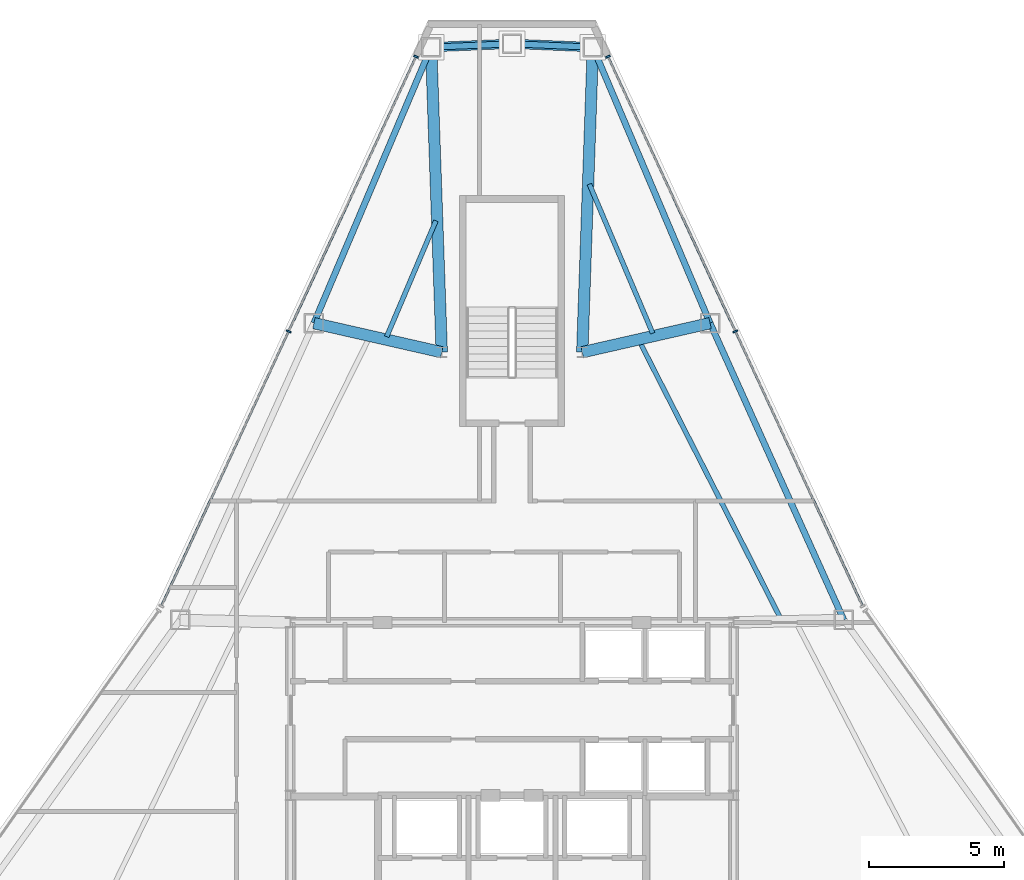
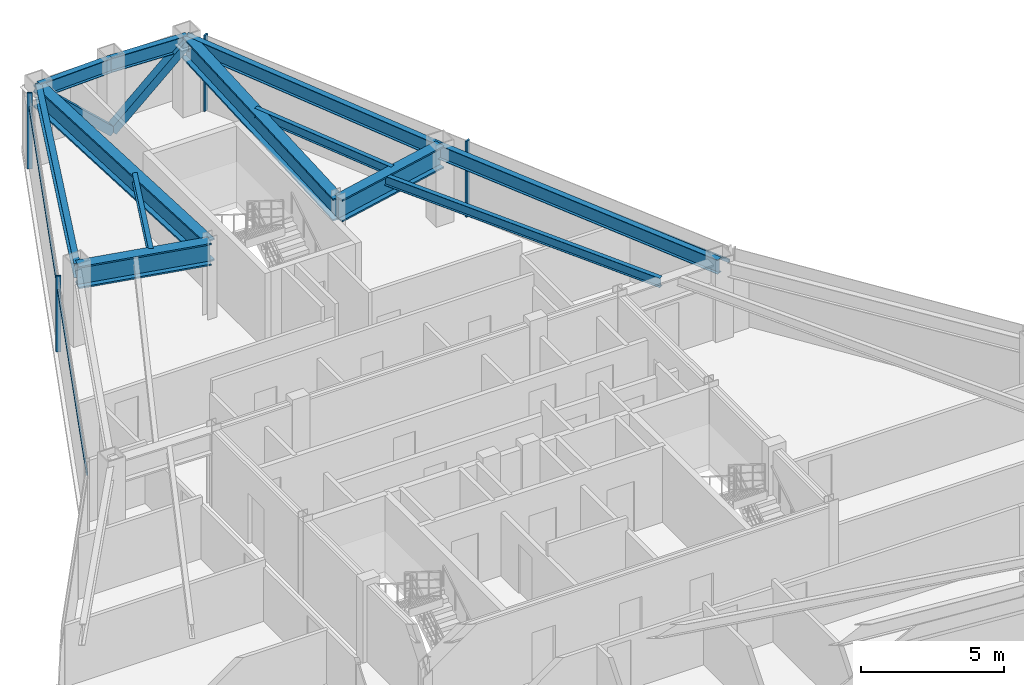
# One storey, part 7 of 12: 12 beams, 8 members, 2 elements without a shape of their own.
"""IFC4 building model written with IfcOpenShell, lengths in metres."""

from ifc_helpers import new_model, si_unit, direction, frame, origin, origin_2d, place, context, subcontext, project, spatial, rectangle, hollow_rectangle, i_section, extrude, source, transform, mapped, material, layer, layer_set, material_profile, profile_set, type_object, type_shapes, element, aggregate, save


model = new_model("IFC4")

# Units and contexts
model_context = context("Model", 3, precision=1e-05, world=origin(), true_north=direction((0.0, 1.0)))
body_context = subcontext(model_context, "Body", "Model", "MODEL_VIEW")
ifc_project = project(units=[si_unit("LENGTHUNIT", "METRE"), si_unit("AREAUNIT", "SQUARE_METRE"), si_unit("VOLUMEUNIT", "CUBIC_METRE"), si_unit("PLANEANGLEUNIT", "RADIAN"), si_unit("MASSUNIT", "GRAM", prefix="KILO")], contexts=[model_context])

# Site, building, storey
site_placement = place(None, origin())
site = spatial("IfcSite", under=ifc_project, at=site_placement, CompositionType="ELEMENT")
building_placement = place(site_placement, origin())
building = spatial("IfcBuilding", under=site, at=building_placement, Name="Varakhsha Concourse Tower", CompositionType="ELEMENT")
storey_placement = place(building_placement, frame((0.0, 0.0, 236.39990234375)))
storey = spatial("IfcBuildingStorey", under=building, at=storey_placement, Name="L67", CompositionType="ELEMENT", Elevation=236.39990234375)

# Beams
ifc_material_1 = material(Name="Structural Steel ASTM A992 Grade 50", Category="steel")
ifc_material_profile_1 = material_profile(ifc_material_1, i_section(OverallWidth=0.177978515625, OverallDepth=0.406982421875, WebThickness=0.008056640625, FlangeThickness=0.012939453125, at=origin_2d()), Name="W16X40")
ifc_profile_set_1 = profile_set([ifc_material_profile_1], Name="Structural Steel ASTM A992 Grade 50")
beam_type_1 = type_object("IfcBeamType", Name="BM-JST-W16X40", PredefinedType="JOIST", material=ifc_profile_set_1)
beam_1_placement = place(storey_placement, frame((37.183837890625, 46.066650390625, 3.046630859375), z_axis=(-0.390890037273, -0.920437384487, 0.0), x_axis=(0.920437384487, -0.390890037273, 0.0)))
element("IfcBeam", 1, at=beam_1_placement, inside=storey, type_object=beam_type_1, Name="BM-TJST-L67-03", PredefinedType="JOIST", context=body_context, shape_type="SweptSolid", body=[
    extrude(i_section(OverallWidth=0.177978515625, OverallDepth=0.406982421875, WebThickness=0.008056640625, FlangeThickness=0.012939453125, at=origin_2d()), origin(), (0.0, 0.0, 1.0), 4.662353515625),
])
beam_2_placement = place(storey_placement, frame((49.9462890625, 31.338134765625, 3.046630859375), z_axis=(-0.45386498126, 0.891070467913, 0.0), x_axis=(-0.891070467913, -0.45386498126, 0.0)))
element("IfcBeam", 2, at=beam_2_placement, inside=storey, type_object=beam_type_1, Name="BM-TJST-L67-17", PredefinedType="JOIST", context=body_context, shape_type="SweptSolid", body=[
    extrude(i_section(OverallWidth=0.177978515625, OverallDepth=0.406982421875, WebThickness=0.008056640625, FlangeThickness=0.012939453125, at=origin_2d()), origin(), (0.0, 0.0, 1.0), 11.4892578125),
])
beam_3_placement = place(storey_placement, frame((45.206298828125, 41.904541015625, 3.046630859375), z_axis=(-0.390893955618, 0.92043572044, 0.0), x_axis=(-0.92043572044, -0.390893955618, 0.0)))
element("IfcBeam", 3, at=beam_3_placement, inside=storey, type_object=beam_type_1, Name="BM-TJST-L67-18", PredefinedType="JOIST", context=body_context, shape_type="SweptSolid", body=[
    extrude(i_section(OverallWidth=0.177978515625, OverallDepth=0.406982421875, WebThickness=0.008056640625, FlangeThickness=0.012939453125, at=origin_2d()), origin(), (0.0, 0.0, 1.0), 5.993896484375),
])
ifc_material_profile_2 = material_profile(ifc_material_1, i_section(OverallWidth=0.423095703125, OverallDepth=0.947998046875, WebThickness=0.0380859375, FlangeThickness=0.06396484375, at=origin_2d()), Name="W36X302")
ifc_profile_set_2 = profile_set([ifc_material_profile_2], Name="Structural Steel ASTM A992 Grade 50")
beam_type_2 = type_object("IfcBeamType", Name="BM-OUTR-W36X302", PredefinedType="USERDEFINED", material=ifc_profile_set_2)
for number, where, z_axis, x_axis, name in (
    (4, (42.60009765625, 41.199951171875, 2.776123046875), (0.03481282417, 0.999393849928, 0.0), (-0.999393849928, 0.03481282417, 0.0), "L67 Radial Floor Girder 01"),
    (5, (37.39990234375, 41.199951171875, 2.776123046875), (-0.03481282417, 0.999393849928, 0.0), (-0.999393849928, -0.03481282417, 0.0), "L67 Radial Floor Girder 03"),
):
    element("IfcBeam", number, at=place(storey_placement, frame(where, z_axis=z_axis, x_axis=x_axis)), inside=storey, type_object=beam_type_2, Name=name, ObjectType="GIRDER", PredefinedType="USERDEFINED", context=body_context, shape_type="SweptSolid", body=[
        extrude(i_section(OverallWidth=0.423095703125, OverallDepth=0.947998046875, WebThickness=0.0380859375, FlangeThickness=0.06396484375, at=origin_2d()), origin(), (0.0, 0.0, 1.0), 11.2978515625),
    ])
for number, where, z_axis, x_axis, name in (
    (6, (37.39990234375, 41.199951171875, 2.776123046875), (-0.975046778501, 0.221999503909, 0.0), (-0.221999503909, -0.975046778501, 0.0), "L67 Radial Floor Girder 04"),
    (7, (42.60009765625, 41.199951171875, 2.776123046875), (0.975046778501, 0.221999503909, 0.0), (-0.221999503909, 0.975046778501, 0.0), "L67 Radial Floor Girder 18"),
):
    element("IfcBeam", number, at=place(storey_placement, frame(where, z_axis=z_axis, x_axis=x_axis)), inside=storey, type_object=beam_type_2, Name=name, ObjectType="GIRDER", PredefinedType="USERDEFINED", context=body_context, shape_type="SweptSolid", body=[
        extrude(i_section(OverallWidth=0.423095703125, OverallDepth=0.947998046875, WebThickness=0.0380859375, FlangeThickness=0.06396484375, at=origin_2d()), origin(), (0.0, 0.0, 1.0), 4.85205078125),
    ])
ifc_material_profile_3 = material_profile(ifc_material_1, i_section(OverallWidth=0.22900390625, OverallDepth=0.612060546875, WebThickness=0.011962890625, FlangeThickness=0.02001953125, at=origin_2d()), Name="W24X84")
ifc_profile_set_3 = profile_set([ifc_material_profile_3], Name="Structural Steel ASTM A992 Grade 50")
beam_type_3 = type_object("IfcBeamType", Name="BM-SPAN-W24X84", PredefinedType="SPANDREL", material=ifc_profile_set_3)
for number, where, z_axis, x_axis, name in (
    (8, (42.993408203125, 52.490966796875, 2.944091796875), (-0.99911218874, 0.042128782447, 0.0), (-0.042128782447, -0.99911218874, 0.0), "BM-SPAN-L67-01"),
    (9, (40.0, 52.6171875, 2.944091796875), (-0.99911218874, -0.042128782447, 0.0), (0.042128782447, -0.99911218874, 0.0), "BM-SPAN-L67-02"),
):
    element("IfcBeam", number, at=place(storey_placement, frame(where, z_axis=z_axis, x_axis=x_axis)), inside=storey, type_object=beam_type_3, Name=name, PredefinedType="SPANDREL", context=body_context, shape_type="SweptSolid", body=[
        extrude(i_section(OverallWidth=0.22900390625, OverallDepth=0.612060546875, WebThickness=0.011962890625, FlangeThickness=0.02001953125, at=origin_2d()), origin(), (0.0, 0.0, 1.0), 2.99609375),
    ])
beam_4_placement = place(storey_placement, frame((37.006591796875, 52.490966796875, 2.944091796875), z_axis=(-0.390892779421, -0.92043621995, 0.0), x_axis=(0.92043621995, -0.390892779421, 0.0)))
element("IfcBeam", 10, at=beam_4_placement, inside=storey, type_object=beam_type_3, Name="BM-SPAN-L67-03", PredefinedType="SPANDREL", context=body_context, shape_type="SweptSolid", body=[
    extrude(i_section(OverallWidth=0.22900390625, OverallDepth=0.612060546875, WebThickness=0.011962890625, FlangeThickness=0.02001953125, at=origin_2d()), origin(), (0.0, 0.0, 1.0), 11.0966796875),
])
beam_5_placement = place(storey_placement, frame((52.2822265625, 31.291259765625, 2.944091796875), z_axis=(-0.410885236605, 0.911687074791, 0.0), x_axis=(-0.911687074791, -0.410885236605, 0.0)))
element("IfcBeam", 11, at=beam_5_placement, inside=storey, type_object=beam_type_3, Name="BM-SPAN-L67-17", PredefinedType="SPANDREL", context=body_context, shape_type="SweptSolid", body=[
    extrude(i_section(OverallWidth=0.22900390625, OverallDepth=0.612060546875, WebThickness=0.011962890625, FlangeThickness=0.02001953125, at=origin_2d()), origin(), (0.0, 0.0, 1.0), 12.050048828125),
])
beam_6_placement = place(storey_placement, frame((47.3310546875, 42.277099609375, 2.944091796875), z_axis=(-0.390892779421, 0.92043621995, 0.0), x_axis=(-0.92043621995, -0.390892779421, 0.0)))
element("IfcBeam", 12, at=beam_6_placement, inside=storey, type_object=beam_type_3, Name="BM-SPAN-L67-18", PredefinedType="SPANDREL", context=body_context, shape_type="SweptSolid", body=[
    extrude(i_section(OverallWidth=0.22900390625, OverallDepth=0.612060546875, WebThickness=0.011962890625, FlangeThickness=0.02001953125, at=origin_2d()), origin(), (0.0, 0.0, 1.0), 11.0966796875),
])

# Members
ifc_material_2 = material(Name="Structural Steel ASTM A500 Grade C", Category="steel")
ifc_material_profile_4 = material_profile(ifc_material_2, hollow_rectangle(XDim=0.35009765625, YDim=0.35009765625, WallThickness=0.01611328125, at=origin_2d()), Name="HSS 350x350x16")
ifc_profile_set_4 = profile_set([ifc_material_profile_4], Name="Structural Steel ASTM A500 Grade C")
member_type_1 = type_object("IfcMemberType", Name="MB-TUBE-HSS350", PredefinedType="BRACE", material=ifc_profile_set_4)
shared_shape_1 = source(origin(), body_context, "Body", "SweptSolid", [
    extrude(hollow_rectangle(XDim=0.35009765625, YDim=0.35009765625, WallThickness=0.01611328125, at=origin_2d()), origin(), (0.0, 0.0, 1.0), 4.121337890625),
])
type_shapes(member_type_1, [shared_shape_1])
for number, where, z_axis, x_axis, name in (
    (13, (40.0, 52.6171875, 0.1201171875), (0.726312250369, -0.03062584075, 0.686682293963), (0.042128782447, 0.99911218874, 0.0), "L67 Wind-Corner Tube Brace B01"),
    (14, (40.0, 52.6171875, 0.1201171875), (-0.726312250369, -0.03062584075, 0.686682293963), (0.042128782447, -0.99911218874, 0.0), "L67 Wind-Corner Tube Brace B02"),
):
    element("IfcMember", number, at=place(storey_placement, frame(where, z_axis=z_axis, x_axis=x_axis)), inside=storey, type_object=member_type_1, Name=name, PredefinedType="BRACE", context=body_context, shape_type="MappedRepresentation", body=[
        mapped(shared_shape_1, transform((0.0, 0.0, 0.0), scale=1.0)),
    ])

# Curtain wall, members
ifc_material_3 = material(Name="Anodised Bronze Architectural Aluminium AA 6063-T6", Category="aluminium")
ifc_layer = layer(ifc_material_3, 0.199951171875, Name="CW-SYS-05")
ifc_layer_set = layer_set([ifc_layer], Name="Anodised Bronze Architectural Aluminium AA 6063-T6")
curtain_wall_type = type_object("IfcCurtainWallType", Name="CW-SYS-05", PredefinedType="NOTDEFINED", material=ifc_layer_set)
curtain_wall_1_placement = place(storey_placement, origin())
curtain_wall_1 = element("IfcCurtainWall", 15, at=curtain_wall_1_placement, inside=storey, type_object=curtain_wall_type, Name="L67 Crystal Curtain Wall F2", PredefinedType="NOTDEFINED")
ifc_material_profile_5 = material_profile(ifc_material_3, rectangle(XDim=0.06494140625, YDim=0.179931640625, at=origin_2d()), Name="CWM-180X65")
ifc_profile_set_5 = profile_set([ifc_material_profile_5], Name="Anodised Bronze Architectural Aluminium AA 6063-T6")
member_type_2 = type_object("IfcMemberType", Name="CWM-180X65", PredefinedType="MULLION", material=ifc_profile_set_5)
shared_shape_2 = source(origin(), body_context, "Body", "SweptSolid", [
    extrude(rectangle(XDim=0.06494140625, YDim=0.179931640625, at=origin_2d()), origin(), (0.0, 0.0, 1.0), 3.25),
])
type_shapes(member_type_2, [shared_shape_2])
member_1_placement = place(storey_placement, frame((31.73388671875, 41.97216796875, 0.0), z_axis=(0.0, 0.0, 1.0), x_axis=(0.420546577212, 0.907270949824, 0.0)))
member_1 = element("IfcMember", 16, at=member_1_placement, type_object=member_type_2, Name="CW-L67-F2 Mullion 01", PredefinedType="MULLION", context=body_context, shape_type="MappedRepresentation", body=[
    mapped(shared_shape_2, transform((0.0, 0.0, 0.0), scale=1.0)),
])
member_2_placement = place(storey_placement, frame((36.447998046875, 52.1416015625, 0.0), z_axis=(0.0, 0.0, 1.0), x_axis=(0.420546577212, 0.907270949824, 0.0)))
member_2 = element("IfcMember", 17, at=member_2_placement, type_object=member_type_2, Name="CW-L67-F2 Mullion 02", PredefinedType="MULLION", context=body_context, shape_type="MappedRepresentation", body=[
    mapped(shared_shape_2, transform((0.0, 0.0, 0.0), scale=1.0)),
])

curtain_wall_2_placement = place(storey_placement, origin())
curtain_wall_2 = element("IfcCurtainWall", 18, at=curtain_wall_2_placement, inside=storey, type_object=curtain_wall_type, Name="L67 Crystal Curtain Wall F9", PredefinedType="NOTDEFINED")
member_3_placement = place(storey_placement, frame((43.552001953125, 52.1416015625, 0.0), z_axis=(0.0, 0.0, 1.0), x_axis=(0.420546577212, -0.907270949824, 0.0)))
member_3 = element("IfcMember", 19, at=member_3_placement, type_object=member_type_2, Name="CW-L67-F9 Mullion 00", PredefinedType="MULLION", context=body_context, shape_type="MappedRepresentation", body=[
    mapped(shared_shape_2, transform((0.0, 0.0, 0.0), scale=1.0)),
])
member_4_placement = place(storey_placement, frame((48.26611328125, 41.97216796875, 0.0), z_axis=(0.0, 0.0, 1.0), x_axis=(0.420546577212, -0.907270949824, 0.0)))
member_4 = element("IfcMember", 20, at=member_4_placement, type_object=member_type_2, Name="CW-L67-F9 Mullion 01", PredefinedType="MULLION", context=body_context, shape_type="MappedRepresentation", body=[
    mapped(shared_shape_2, transform((0.0, 0.0, 0.0), scale=1.0)),
])

# Member
ifc_material_profile_6 = material_profile(ifc_material_3, rectangle(XDim=0.06005859375, YDim=0.139892578125, at=origin_2d()), Name="CWT-140X60")
ifc_profile_set_6 = profile_set([ifc_material_profile_6], Name="Anodised Bronze Architectural Aluminium AA 6063-T6")
member_type_3 = type_object("IfcMemberType", Name="CWT-140X60", PredefinedType="USERDEFINED", material=ifc_profile_set_6)
shared_shape_3 = source(origin(), body_context, "Body", "SweptSolid", [
    extrude(rectangle(XDim=0.06005859375, YDim=0.139892578125, at=origin_2d()), origin(), (0.0, 0.0, 1.0), 22.41796875),
])
type_shapes(member_type_3, [shared_shape_3])
member_5_placement = place(storey_placement, frame((27.02001953125, 31.802490234375, 2.60009765625), z_axis=(0.420554160195, 0.907267434852, 0.0), x_axis=(-0.907267434852, 0.420554160195, 0.0)))
member_5 = element("IfcMember", 21, at=member_5_placement, type_object=member_type_3, Name="CW-L67-F2 Transom 01", ObjectType="TRANSOM", PredefinedType="USERDEFINED", context=body_context, shape_type="MappedRepresentation", body=[
    mapped(shared_shape_3, transform((0.0, 0.0, 0.0), scale=1.0)),
])

aggregate(curtain_wall_1, [member_1, member_2, member_5])

member_6_placement = place(storey_placement, frame((43.552001953125, 52.1416015625, 2.60009765625), z_axis=(0.420554160195, -0.907267434852, 0.0), x_axis=(0.907267434852, 0.420554160195, 0.0)))
member_6 = element("IfcMember", 22, at=member_6_placement, type_object=member_type_3, Name="CW-L67-F9 Transom 01", ObjectType="TRANSOM", PredefinedType="USERDEFINED", context=body_context, shape_type="MappedRepresentation", body=[
    mapped(shared_shape_3, transform((0.0, 0.0, 0.0), scale=1.0)),
])

aggregate(curtain_wall_2, [member_3, member_4, member_6])

save(model, "model.ifc")
